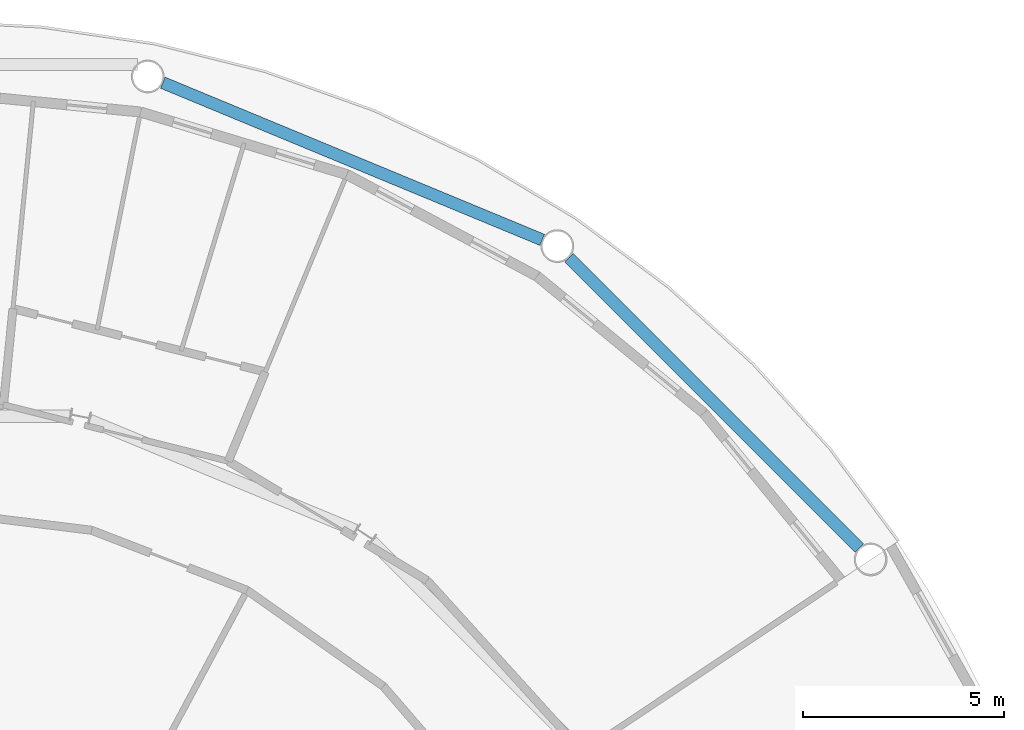
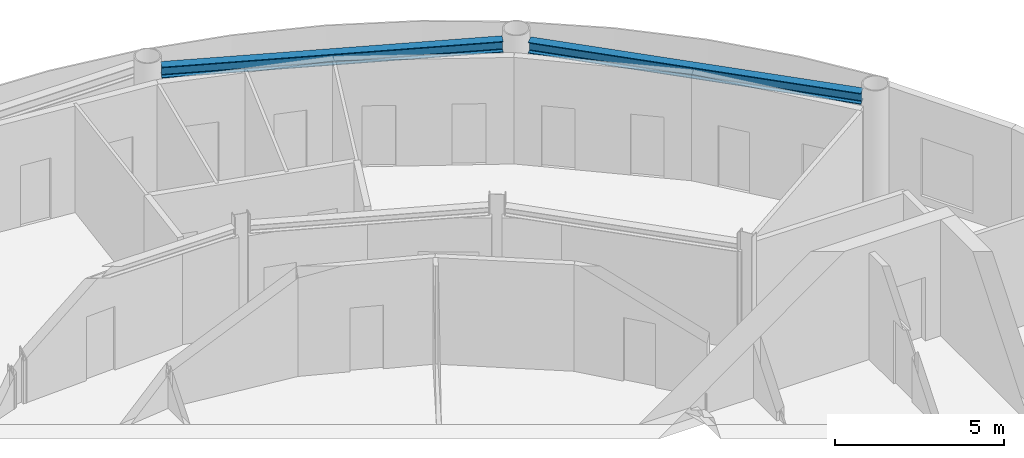
# One storey, part 10 of 21: 2 beams.
"""IFC4 building model written with IfcOpenShell, lengths in metres."""

from ifc_helpers import new_model, si_unit, direction, frame, origin, origin_2d, place, context, subcontext, project, spatial, i_section, extrude, material, material_profile, profile_set, type_object, element, save


model = new_model("IFC4")

# Units and contexts
model_context = context("Model", 3, precision=1e-05, world=origin(), true_north=direction((0.0, 1.0)))
body_context = subcontext(model_context, "Body", "Model", "MODEL_VIEW")
ifc_project = project(units=[si_unit("LENGTHUNIT", "METRE"), si_unit("AREAUNIT", "SQUARE_METRE"), si_unit("VOLUMEUNIT", "CUBIC_METRE"), si_unit("PLANEANGLEUNIT", "RADIAN"), si_unit("MASSUNIT", "GRAM", prefix="KILO")], contexts=[model_context])

# Site, building, storey
site_placement = place(None, origin())
site = spatial("IfcSite", under=ifc_project, at=site_placement, CompositionType="ELEMENT")
building_placement = place(site_placement, origin())
building = spatial("IfcBuilding", under=site, at=building_placement, Name="Maasbend Ring Residences", CompositionType="ELEMENT")
storey_placement = place(building_placement, frame((0.0, 0.0, 157.39990234375)))
storey = spatial("IfcBuildingStorey", under=building, at=storey_placement, Name="L45", CompositionType="ELEMENT", Elevation=157.39990234375)

# Beams
ifc_material = material(Name="Steel S355J2", Category="steel")
ifc_material_profile = material_profile(ifc_material, i_section(OverallWidth=0.300048828125, OverallDepth=0.39990234375, WebThickness=0.013427734375, FlangeThickness=0.02392578125, FilletRadius=0.027099609375, at=origin_2d()), Name="HEB 400")
ifc_profile_set = profile_set([ifc_material_profile], Name="Steel S355J2")
beam_type = type_object("IfcBeamType", Name="Spandrel ring beam HEB 400", PredefinedType="SPANDREL", material=ifc_profile_set)
for number, where, z_axis, x_axis, name in (
    (1, (23.159912109375, 15.95458984375, 3.650146484375), (-0.707106781187, 0.707106781187, 0.0), (-0.707106781187, -0.707106781187, 0.0), "Spandrel ring beam"),
    (2, (15.29150390625, 23.60302734375, 3.650146484375), (-0.923883676188, 0.382673428492, 0.0), (-0.382673428492, -0.923883676188, 0.0), "Spandrel ring beam"),
):
    element("IfcBeam", number, at=place(storey_placement, frame(where, z_axis=z_axis, x_axis=x_axis)), inside=storey, type_object=beam_type, Name=name, PredefinedType="SPANDREL", context=body_context, shape_type="SweptSolid", body=[
        extrude(i_section(OverallWidth=0.300048828125, OverallDepth=0.39990234375, WebThickness=0.013427734375, FlangeThickness=0.02392578125, FilletRadius=0.027099609375, at=origin_2d()), origin(), (0.0, 0.0, 1.0), 10.18994140625),
    ])

save(model, "model.ifc")
